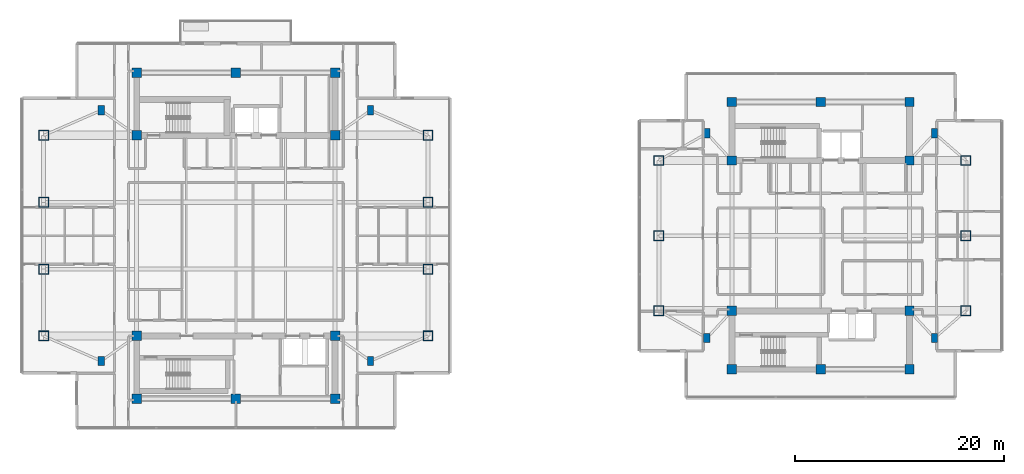
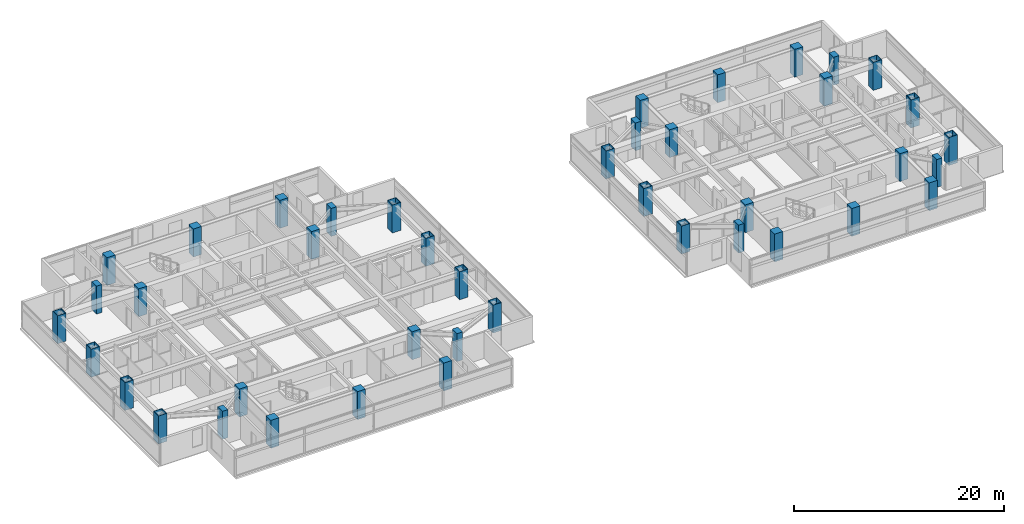
# One storey, part 1 of 24: 42 columns.
"""IFC4 building model written with IfcOpenShell, lengths in metres."""

from ifc_helpers import new_model, si_unit, direction, frame, origin, origin_2d, place, context, subcontext, project, spatial, rectangle, hollow_rectangle, extrude, material, material_profile, profile_set, type_object, element, save


model = new_model("IFC4")

# Units and contexts
model_context = context("Model", 3, precision=1e-05, world=origin(), true_north=direction((0.0, 1.0)))
body_context = subcontext(model_context, "Body", "Model", "MODEL_VIEW")
ifc_project = project(units=[si_unit("LENGTHUNIT", "METRE"), si_unit("AREAUNIT", "SQUARE_METRE"), si_unit("VOLUMEUNIT", "CUBIC_METRE"), si_unit("PLANEANGLEUNIT", "RADIAN"), si_unit("MASSUNIT", "GRAM", prefix="KILO")], contexts=[model_context])

# Site, building, storey
site_placement = place(None, origin())
site = spatial("IfcSite", under=ifc_project, at=site_placement, CompositionType="ELEMENT")
building_placement = place(site_placement, origin())
building = spatial("IfcBuilding", under=site, at=building_placement, Name="Mirazonda Arch Towers", CompositionType="ELEMENT")
storey_placement = place(building_placement, frame((0.0, 0.0, 196.64990234375)))
storey = spatial("IfcBuildingStorey", under=building, at=storey_placement, Name="L56", CompositionType="ELEMENT", Elevation=196.64990234375)

# Columns
ifc_material_1 = material(Name="Concrete C50/60", Category="concrete")
ifc_material_profile_1 = material_profile(ifc_material_1, rectangle(XDim=0.89990234375, YDim=0.89990234375, at=origin_2d()), Name="RC900x900")
ifc_profile_set_1 = profile_set([ifc_material_profile_1], Name="Concrete C50/60")
column_type_1 = type_object("IfcColumnType", Name="COL-INT-RC900x900", PredefinedType="COLUMN", material=ifc_profile_set_1)
for number, where, z_axis, x_axis, name in (
    (1, (11.0, 12.39990234375, 0.0), (0.0, 0.0, 1.0), (1.0, 0.0, 0.0), "L56 T1 Core Column 01"),
    (2, (20.5, 12.39990234375, 0.0), (0.0, 0.0, 1.0), (1.0, 0.0, 0.0), "L56 T1 Core Column 02"),
    (3, (30.0, 12.39990234375, 0.0), (0.0, 0.0, 1.0), (1.0, 0.0, 0.0), "L56 T1 Core Column 03"),
    (4, (11.0, 18.39990234375, 0.0), (0.0, 0.0, 1.0), (1.0, 0.0, 0.0), "L56 T1 Core Column 04"),
    (5, (30.0, 18.39990234375, 0.0), (0.0, 0.0, 1.0), (1.0, 0.0, 0.0), "L56 T1 Core Column 05"),
    (6, (11.0, 37.60009765625, 0.0), (0.0, 0.0, 1.0), (1.0, 0.0, 0.0), "L56 T1 Core Column 06"),
    (7, (30.0, 37.60009765625, 0.0), (0.0, 0.0, 1.0), (1.0, 0.0, 0.0), "L56 T1 Core Column 07"),
    (8, (11.0, 43.60009765625, 0.0), (0.0, 0.0, 1.0), (1.0, 0.0, 0.0), "L56 T1 Core Column 08"),
    (9, (20.5, 43.60009765625, 0.0), (0.0, 0.0, 1.0), (1.0, 0.0, 0.0), "L56 T1 Core Column 09"),
    (10, (30.0, 43.60009765625, 0.0), (0.0, 0.0, 1.0), (1.0, 0.0, 0.0), "L56 T1 Core Column 10"),
    (11, (68.0, 15.199951171875, 0.0), (0.0, 0.0, 1.0), (1.0, 0.0, 0.0), "L56 T2 Core Column 01"),
    (12, (76.5, 15.199951171875, 0.0), (0.0, 0.0, 1.0), (1.0, 0.0, 0.0), "L56 T2 Core Column 02"),
    (13, (85.0, 15.199951171875, 0.0), (0.0, 0.0, 1.0), (1.0, 0.0, 0.0), "L56 T2 Core Column 03"),
    (14, (68.0, 20.800048828125, 0.0), (0.0, 0.0, 1.0), (1.0, 0.0, 0.0), "L56 T2 Core Column 04"),
    (15, (85.0, 20.800048828125, 0.0), (0.0, 0.0, 1.0), (1.0, 0.0, 0.0), "L56 T2 Core Column 05"),
    (16, (68.0, 35.199951171875, 0.0), (0.0, 0.0, 1.0), (1.0, 0.0, 0.0), "L56 T2 Core Column 06"),
    (17, (85.0, 35.199951171875, 0.0), (0.0, 0.0, 1.0), (1.0, 0.0, 0.0), "L56 T2 Core Column 07"),
    (18, (68.0, 40.800048828125, 0.0), (0.0, 0.0, 1.0), (1.0, 0.0, 0.0), "L56 T2 Core Column 08"),
    (19, (76.5, 40.800048828125, 0.0), (0.0, 0.0, 1.0), (1.0, 0.0, 0.0), "L56 T2 Core Column 09"),
    (20, (85.0, 40.800048828125, 0.0), (0.0, 0.0, 1.0), (1.0, 0.0, 0.0), "L56 T2 Core Column 10"),
):
    element("IfcColumn", number, at=place(storey_placement, frame(where, z_axis=z_axis, x_axis=x_axis)), inside=storey, type_object=column_type_1, Name=name, PredefinedType="COLUMN", context=body_context, shape_type="SweptSolid", body=[
        extrude(rectangle(XDim=0.89990234375, YDim=0.89990234375, at=origin_2d()), origin(), (0.0, 0.0, 1.0), 3.25),
    ])
ifc_material_2 = material(Name="Steel ASTM A572 Grade 50", Category="steel")
ifc_material_profile_2 = material_profile(ifc_material_2, hollow_rectangle(XDim=0.949951171875, YDim=0.949951171875, WallThickness=0.050048828125, at=origin_2d()), Name="BOX950x950x50")
ifc_profile_set_2 = profile_set([ifc_material_profile_2], Name="Steel ASTM A572 Grade 50")
column_type_2 = type_object("IfcColumnType", Name="MCOL-EXT-BOX950x950x50", PredefinedType="COLUMN", material=ifc_profile_set_2)
for number, where, z_axis, x_axis, name in (
    (21, (2.10009765625, 18.39990234375, 0.0), (0.0, 0.0, 1.0), (1.0, 0.0, 0.0), "L56 T1 Composite Mega-Column 01"),
    (22, (2.10009765625, 24.800048828125, 0.0), (0.0, 0.0, 1.0), (1.0, 0.0, 0.0), "L56 T1 Composite Mega-Column 02"),
    (23, (2.10009765625, 31.199951171875, 0.0), (0.0, 0.0, 1.0), (1.0, 0.0, 0.0), "L56 T1 Composite Mega-Column 03"),
    (24, (2.10009765625, 37.60009765625, 0.0), (0.0, 0.0, 1.0), (1.0, 0.0, 0.0), "L56 T1 Composite Mega-Column 04"),
    (25, (38.89990234375, 18.39990234375, 0.0), (0.0, 0.0, 1.0), (1.0, 0.0, 0.0), "L56 T1 Composite Mega-Column 05"),
    (26, (38.89990234375, 24.800048828125, 0.0), (0.0, 0.0, 1.0), (1.0, 0.0, 0.0), "L56 T1 Composite Mega-Column 06"),
    (27, (38.89990234375, 31.199951171875, 0.0), (0.0, 0.0, 1.0), (1.0, 0.0, 0.0), "L56 T1 Composite Mega-Column 07"),
    (28, (38.89990234375, 37.60009765625, 0.0), (0.0, 0.0, 1.0), (1.0, 0.0, 0.0), "L56 T1 Composite Mega-Column 08"),
    (29, (61.0, 20.800048828125, 0.0), (0.0, 0.0, 1.0), (1.0, 0.0, 0.0), "L56 T2 Composite Mega-Column 01"),
    (30, (61.0, 28.0, 0.0), (0.0, 0.0, 1.0), (1.0, 0.0, 0.0), "L56 T2 Composite Mega-Column 02"),
    (31, (61.0, 35.199951171875, 0.0), (0.0, 0.0, 1.0), (1.0, 0.0, 0.0), "L56 T2 Composite Mega-Column 03"),
    (32, (90.39990234375, 20.800048828125, 0.0), (0.0, 0.0, 1.0), (1.0, 0.0, 0.0), "L56 T2 Composite Mega-Column 04"),
    (33, (90.39990234375, 28.0, 0.0), (0.0, 0.0, 1.0), (1.0, 0.0, 0.0), "L56 T2 Composite Mega-Column 05"),
    (34, (90.39990234375, 35.199951171875, 0.0), (0.0, 0.0, 1.0), (1.0, 0.0, 0.0), "L56 T2 Composite Mega-Column 06"),
):
    element("IfcColumn", number, at=place(storey_placement, frame(where, z_axis=z_axis, x_axis=x_axis)), inside=storey, type_object=column_type_2, Name=name, PredefinedType="COLUMN", context=body_context, shape_type="SweptSolid", body=[
        extrude(hollow_rectangle(XDim=0.949951171875, YDim=0.949951171875, WallThickness=0.050048828125, at=origin_2d()), origin(), (0.0, 0.0, 1.0), 3.25),
    ])
ifc_material_profile_3 = material_profile(ifc_material_1, rectangle(XDim=0.60009765625, YDim=0.89990234375, at=origin_2d()), Name="RC900x600")
ifc_profile_set_3 = profile_set([ifc_material_profile_3], Name="Concrete C50/60")
column_type_3 = type_object("IfcColumnType", Name="PIL-EXT-RC900x600", PredefinedType="PILASTER", material=ifc_profile_set_3)
for number, where, z_axis, x_axis, name in (
    (35, (7.60009765625, 16.0, 0.0), (0.0, 0.0, 1.0), (1.0, 0.0, 0.0), "L56 T1 Corner Pilaster 01"),
    (36, (33.39990234375, 16.0, 0.0), (0.0, 0.0, 1.0), (1.0, 0.0, 0.0), "L56 T1 Corner Pilaster 02"),
    (37, (7.60009765625, 40.0, 0.0), (0.0, 0.0, 1.0), (1.0, 0.0, 0.0), "L56 T1 Corner Pilaster 03"),
    (38, (33.39990234375, 40.0, 0.0), (0.0, 0.0, 1.0), (1.0, 0.0, 0.0), "L56 T1 Corner Pilaster 04"),
    (39, (65.60009765625, 18.199951171875, 0.0), (0.0, 0.0, 1.0), (1.0, 0.0, 0.0), "L56 T2 Corner Pilaster 01"),
    (40, (87.39990234375, 18.199951171875, 0.0), (0.0, 0.0, 1.0), (1.0, 0.0, 0.0), "L56 T2 Corner Pilaster 02"),
    (41, (65.60009765625, 37.800048828125, 0.0), (0.0, 0.0, 1.0), (1.0, 0.0, 0.0), "L56 T2 Corner Pilaster 03"),
    (42, (87.39990234375, 37.800048828125, 0.0), (0.0, 0.0, 1.0), (1.0, 0.0, 0.0), "L56 T2 Corner Pilaster 04"),
):
    element("IfcColumn", number, at=place(storey_placement, frame(where, z_axis=z_axis, x_axis=x_axis)), inside=storey, type_object=column_type_3, Name=name, PredefinedType="PILASTER", context=body_context, shape_type="SweptSolid", body=[
        extrude(rectangle(XDim=0.60009765625, YDim=0.89990234375, at=origin_2d()), origin(), (0.0, 0.0, 1.0), 3.25),
    ])

save(model, "model.ifc")
